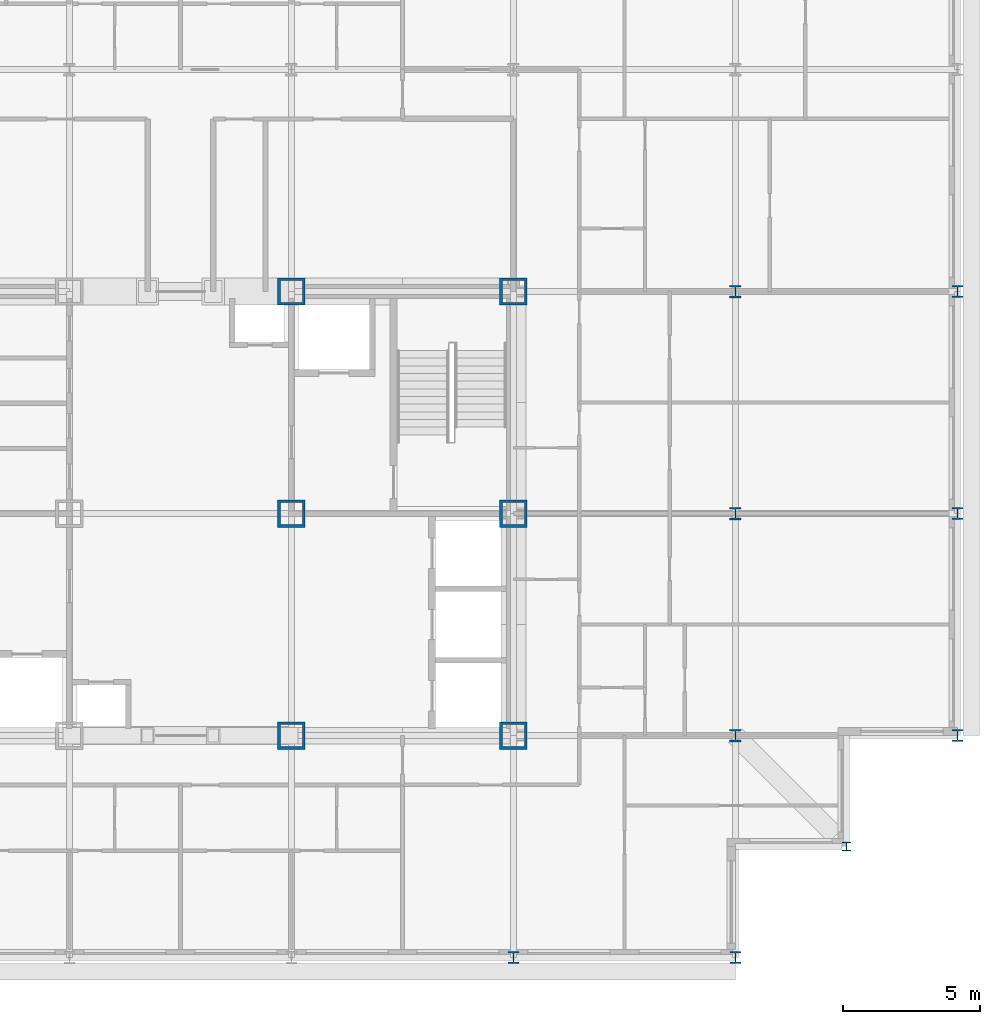
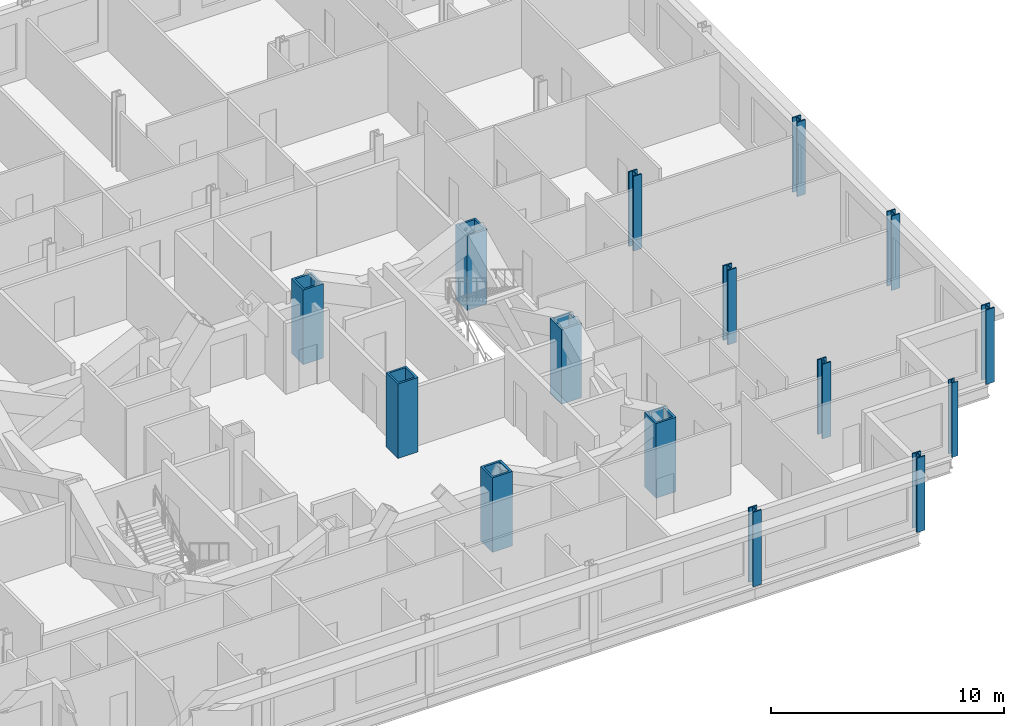
# One storey, part 2 of 16: 15 columns.
"""IFC4 building model written with IfcOpenShell, lengths in metres."""

from ifc_helpers import new_model, si_unit, direction, frame, origin, origin_2d, place, context, subcontext, project, spatial, hollow_rectangle, i_section, extrude, material, material_profile, profile_set, type_object, element, save


model = new_model("IFC4")

# Units and contexts
model_context = context("Model", 3, precision=1e-05, world=origin(), true_north=direction((0.0, 1.0)))
body_context = subcontext(model_context, "Body", "Model", "MODEL_VIEW")
ifc_project = project(units=[si_unit("LENGTHUNIT", "METRE"), si_unit("AREAUNIT", "SQUARE_METRE"), si_unit("VOLUMEUNIT", "CUBIC_METRE"), si_unit("PLANEANGLEUNIT", "RADIAN"), si_unit("MASSUNIT", "GRAM", prefix="KILO")], contexts=[model_context])

# Site, building, storey
site_placement = place(None, origin())
site = spatial("IfcSite", under=ifc_project, at=site_placement, CompositionType="ELEMENT")
building_placement = place(site_placement, origin())
building = spatial("IfcBuilding", under=site, at=building_placement, Name="Kopane Lantern Tower", CompositionType="ELEMENT")
storey_placement = place(building_placement, frame((0.0, 0.0, 265.800048828125)))
storey = spatial("IfcBuildingStorey", under=building, at=storey_placement, Name="L68", CompositionType="ELEMENT", Elevation=265.800048828125)

# Columns
ifc_material_1 = material(Name="Steel S355JR", Category="steel")
ifc_material_profile_1 = material_profile(ifc_material_1, hollow_rectangle(XDim=1.0, YDim=1.0, WallThickness=0.10009765625, at=origin_2d()), Name="BOX 1000x1000x100")
ifc_profile_set_1 = profile_set([ifc_material_profile_1], Name="Steel S355JR")
column_type_1 = type_object("IfcColumnType", Name="COLUMN BOX 1000x1000x100", PredefinedType="COLUMN", material=ifc_profile_set_1)
for number, where, z_axis, x_axis, name in (
    (1, (32.39990234375, 24.300048828125, 0.0), (0.0, 0.0, 1.0), (1.0, 0.0, 0.0), "Column 6/E L68"),
    (2, (32.39990234375, 32.39990234375, 0.0), (0.0, 0.0, 1.0), (1.0, 0.0, 0.0), "Column 6/F L68"),
    (3, (32.39990234375, 40.5, 0.0), (0.0, 0.0, 1.0), (1.0, 0.0, 0.0), "Column 6/G L68"),
    (4, (40.5, 24.300048828125, 0.0), (0.0, 0.0, 1.0), (1.0, 0.0, 0.0), "Column 7/E L68"),
    (5, (40.5, 32.39990234375, 0.0), (0.0, 0.0, 1.0), (1.0, 0.0, 0.0), "Column 7/F L68"),
    (6, (40.5, 40.5, 0.0), (0.0, 0.0, 1.0), (1.0, 0.0, 0.0), "Column 7/G L68"),
):
    element("IfcColumn", number, at=place(storey_placement, frame(where, z_axis=z_axis, x_axis=x_axis)), inside=storey, type_object=column_type_1, Name=name, PredefinedType="COLUMN", context=body_context, shape_type="SweptSolid", body=[
        extrude(hollow_rectangle(XDim=1.0, YDim=1.0, WallThickness=0.10009765625, at=origin_2d()), origin(), (0.0, 0.0, 1.0), 3.89990234375),
    ])
ifc_material_2 = material(Name="Steel S355JR", Category="steel")
ifc_material_profile_2 = material_profile(ifc_material_2, i_section(OverallWidth=0.307373046875, OverallDepth=0.314453125, WebThickness=0.011962890625, FlangeThickness=0.018798828125, FilletRadius=0.01513671875, at=origin_2d()), Name="UC 305x305x118")
ifc_profile_set_2 = profile_set([ifc_material_profile_2], Name="Steel S355JR")
column_type_2 = type_object("IfcColumnType", Name="COLUMN UC 305x305x118", PredefinedType="COLUMN", material=ifc_profile_set_2)
column_placement = place(storey_placement, frame((52.64990234375, 20.25, 0.0), z_axis=(0.0, 0.0, 1.0), x_axis=(1.0, 0.0, 0.0)))
element("IfcColumn", 7, at=column_placement, inside=storey, type_object=column_type_2, Name="Column 52.65/20.25 L68", PredefinedType="COLUMN", context=body_context, shape_type="SweptSolid", body=[
    extrude(i_section(OverallWidth=0.307373046875, OverallDepth=0.314453125, WebThickness=0.011962890625, FlangeThickness=0.018798828125, FilletRadius=0.01513671875, at=origin_2d()), origin(), (0.0, 0.0, 1.0), 3.89990234375),
])
ifc_material_3 = material(Name="Steel S355JR", Category="steel")
ifc_material_profile_3 = material_profile(ifc_material_3, i_section(OverallWidth=0.412109375, OverallDepth=0.4365234375, WebThickness=0.035888671875, FlangeThickness=0.05810546875, FilletRadius=0.01513671875, at=origin_2d()), Name="UC 356x406x467")
ifc_profile_set_3 = profile_set([ifc_material_profile_3], Name="Steel S355JR")
column_type_3 = type_object("IfcColumnType", Name="COLUMN UC 356x406x467", PredefinedType="COLUMN", material=ifc_profile_set_3)
for number, where, z_axis, x_axis, name in (
    (8, (40.5, 16.199951171875, 0.0), (0.0, 0.0, 1.0), (1.0, 0.0, 0.0), "Column 7/D L68"),
    (9, (48.60009765625, 16.199951171875, 0.0), (0.0, 0.0, 1.0), (1.0, 0.0, 0.0), "Column 8/D L68"),
    (10, (56.699951171875, 24.300048828125, 0.0), (0.0, 0.0, 1.0), (1.0, 0.0, 0.0), "Column 9/E L68"),
    (11, (56.699951171875, 32.39990234375, 0.0), (0.0, 0.0, 1.0), (1.0, 0.0, 0.0), "Column 9/F L68"),
    (12, (56.699951171875, 40.5, 0.0), (0.0, 0.0, 1.0), (1.0, 0.0, 0.0), "Column 9/G L68"),
):
    element("IfcColumn", number, at=place(storey_placement, frame(where, z_axis=z_axis, x_axis=x_axis)), inside=storey, type_object=column_type_3, Name=name, PredefinedType="COLUMN", context=body_context, shape_type="SweptSolid", body=[
        extrude(i_section(OverallWidth=0.412109375, OverallDepth=0.4365234375, WebThickness=0.035888671875, FlangeThickness=0.05810546875, FilletRadius=0.01513671875, at=origin_2d()), origin(), (0.0, 0.0, 1.0), 3.89990234375),
    ])
ifc_material_4 = material(Name="Steel S355JR", Category="steel")
ifc_material_profile_4 = material_profile(ifc_material_4, i_section(OverallWidth=0.41845703125, OverallDepth=0.45556640625, WebThickness=0.0419921875, FlangeThickness=0.0673828125, FilletRadius=0.01513671875, at=origin_2d()), Name="UC 356x406x551")
ifc_profile_set_4 = profile_set([ifc_material_profile_4], Name="Steel S355JR")
column_type_4 = type_object("IfcColumnType", Name="COLUMN UC 356x406x551", PredefinedType="COLUMN", material=ifc_profile_set_4)
for number, where, z_axis, x_axis, name in (
    (13, (48.60009765625, 24.300048828125, 0.0), (0.0, 0.0, 1.0), (1.0, 0.0, 0.0), "Column 8/E L68"),
    (14, (48.60009765625, 32.39990234375, 0.0), (0.0, 0.0, 1.0), (1.0, 0.0, 0.0), "Column 8/F L68"),
    (15, (48.60009765625, 40.5, 0.0), (0.0, 0.0, 1.0), (1.0, 0.0, 0.0), "Column 8/G L68"),
):
    element("IfcColumn", number, at=place(storey_placement, frame(where, z_axis=z_axis, x_axis=x_axis)), inside=storey, type_object=column_type_4, Name=name, PredefinedType="COLUMN", context=body_context, shape_type="SweptSolid", body=[
        extrude(i_section(OverallWidth=0.41845703125, OverallDepth=0.45556640625, WebThickness=0.0419921875, FlangeThickness=0.0673828125, FilletRadius=0.01513671875, at=origin_2d()), origin(), (0.0, 0.0, 1.0), 3.89990234375),
    ])

save(model, "model.ifc")
